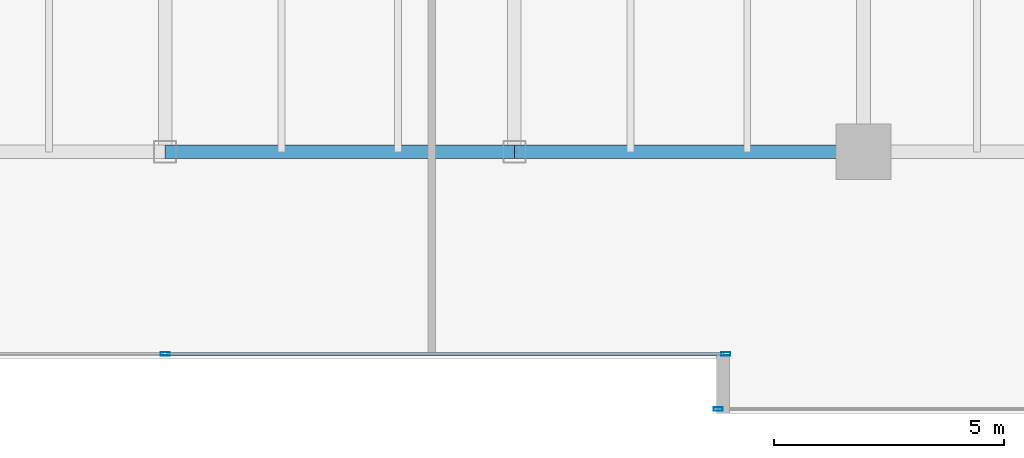
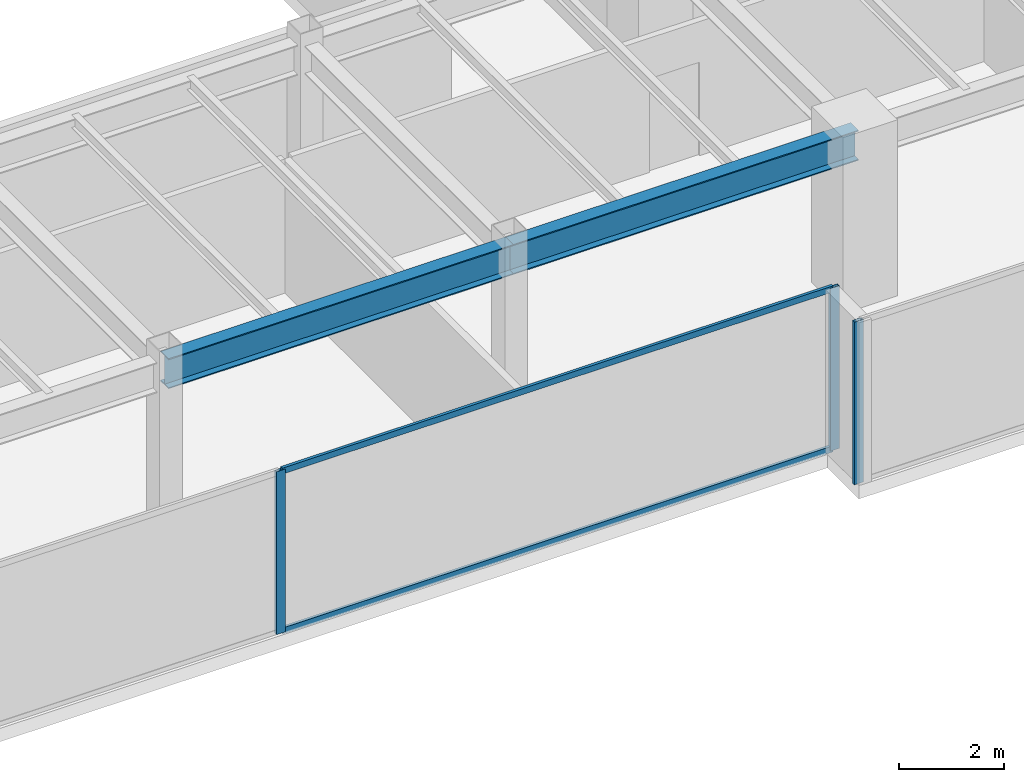
# One storey, part 10 of 30: 5 members, 2 beams, 2 elements without a shape of their own.
"""IFC4 building model written with IfcOpenShell, lengths in metres."""

import ifcopenshell
import ifcopenshell.guid

model = None  # the IFC model being written
_history = None  # IfcOwnerHistory: only IFC2X3 demands one
_inside = {}  # id of a spatial element -> (the spatial element, [elements in it])
_under = {}  # id of a project, library or spatial element -> (it, [spatial elements below it])
_declared = {}  # id of a project -> (the project, [libraries it declares])
_typed = {}  # id of a type object -> (the type object, [elements of that type])
_made_of = {}  # id of a material, layer set ... -> (it, [elements and type objects made of it])


def new_model(schema):
    """Start an empty IFC model of exactly this schema.

    Asked for "IFC4X3", IfcOpenShell would pick the latest addendum, in which some entities
    have other attributes; the version numbers below select the first issue.
    IFC2X3 requires an IfcOwnerHistory on every rooted entity: one is made here for all.
    """
    global model, _history
    if schema == "IFC4X3":
        model = ifcopenshell.file(schema_version=(4, 3, 0, 0))
    else:
        model = ifcopenshell.file(schema=schema)
    _inside.clear()
    _under.clear()
    _declared.clear()
    _typed.clear()
    _made_of.clear()
    _history = None
    if model.schema == "IFC2X3":
        org = make("IfcOrganization", Name="unknown")
        user = make(
            "IfcPersonAndOrganization",
            ThePerson=make("IfcPerson", FamilyName="unknown"),
            TheOrganization=org,
        )
        app = make(
            "IfcApplication",
            ApplicationDeveloper=org,
            Version="unknown",
            ApplicationFullName="unknown",
            ApplicationIdentifier="unknown",
        )
        _history = make(
            "IfcOwnerHistory",
            OwningUser=user,
            OwningApplication=app,
            ChangeAction="ADDED",
            CreationDate=0,
        )
    return model


def make(cls, **values):
    """One entity of the class cls with the attributes given. An attribute that is None is left unset."""
    return model.create_entity(
        cls, **{name: value for name, value in values.items() if value is not None}
    )


def rooted(cls, **values):
    """An entity with a GlobalId (a new one), such as an element, a storey or a relation."""
    return make(cls, GlobalId=ifcopenshell.guid.new(), OwnerHistory=_history, **values)


def si_unit(unit_type, name, prefix=None):
    """IfcSIUnit, for example si_unit("LENGTHUNIT", "METRE", prefix="MILLI")."""
    return make("IfcSIUnit", UnitType=unit_type, Prefix=prefix, Name=name)


def assignment(units):
    """IfcUnitAssignment: the units of a project."""
    return None if units is None else make("IfcUnitAssignment", Units=units)


def point(xyz):
    """IfcCartesianPoint."""
    return None if xyz is None else make("IfcCartesianPoint", Coordinates=xyz)


def direction(xyz):
    """IfcDirection."""
    return None if xyz is None else make("IfcDirection", DirectionRatios=xyz)


def frame(location, z_axis=None, x_axis=None):
    """IfcAxis2Placement3D, a coordinate frame: its origin and axes. An axis left out is left unset."""
    return make(
        "IfcAxis2Placement3D",
        Location=point(location),
        Axis=direction(z_axis),
        RefDirection=direction(x_axis),
    )


def frame_2d(location, x_axis=None):
    """IfcAxis2Placement2D, a coordinate frame in the plane: its origin and x axis."""
    return make(
        "IfcAxis2Placement2D", Location=point(location), RefDirection=direction(x_axis)
    )


def origin():
    """The frame at (0, 0, 0) with its axes left unset."""
    return frame((0.0, 0.0, 0.0))


def origin_2d():
    """The frame at (0, 0) in the plane with its x axis left unset."""
    return frame_2d((0.0, 0.0))


def place(relative_to, where):
    """IfcLocalPlacement: puts the frame where relative to a parent placement (None: the world)."""
    return make(
        "IfcLocalPlacement", PlacementRelTo=relative_to, RelativePlacement=where
    )


def context(
    kind, dimensions, precision=None, world=None, true_north=None, identifier=None
):
    """IfcGeometricRepresentationContext, for example the 3D "Model" context."""
    return make(
        "IfcGeometricRepresentationContext",
        ContextIdentifier=identifier,
        ContextType=kind,
        CoordinateSpaceDimension=dimensions,
        Precision=precision,
        WorldCoordinateSystem=world,
        TrueNorth=true_north,
    )


def subcontext(parent, identifier, kind, view, scale=None):
    """IfcGeometricRepresentationSubContext, for example "Body" below "Model"."""
    return make(
        "IfcGeometricRepresentationSubContext",
        ContextIdentifier=identifier,
        ContextType=kind,
        ParentContext=parent,
        TargetScale=scale,
        TargetView=view,
    )


def project(units=None, contexts=None):
    """IfcProject with its units and contexts."""
    return rooted(
        "IfcProject",
        Name="project",
        RepresentationContexts=contexts,
        UnitsInContext=assignment(units),
    )


def spatial(cls, under=None, at=None, **own):
    """A site, building, storey or space (cls), placed at a placement, below another one or the project."""
    s = rooted(cls, ObjectPlacement=at, **own)
    if under is not None:
        _under.setdefault(under.id(), (under, []))[1].append(s)
    return s


def profile(cls, at=None, kind="AREA", **sizes):
    """A parametric profile (cls). Its sizes go by their IFC names, for example OverallWidth=200.0."""
    return make(cls, ProfileType=kind, Position=at, **sizes)


def hollow_rectangle(**sizes):
    """IfcRectangleHollowProfileDef."""
    return profile("IfcRectangleHollowProfileDef", **sizes)


def i_section(**sizes):
    """IfcIShapeProfileDef."""
    return profile("IfcIShapeProfileDef", **sizes)


def extrude(swept, where, along, depth):
    """IfcExtrudedAreaSolid: the profile swept, set in the frame where, extruded along a direction by depth."""
    return make(
        "IfcExtrudedAreaSolid",
        SweptArea=swept,
        Position=where,
        ExtrudedDirection=direction(along),
        Depth=depth,
    )


def shape(context_of_items, identifier, shape_type, items):
    """IfcShapeRepresentation: the items that make up one representation, for example the "Body"."""
    return make(
        "IfcShapeRepresentation",
        ContextOfItems=context_of_items,
        RepresentationIdentifier=identifier,
        RepresentationType=shape_type,
        Items=items,
    )


def source(mapping_origin, context_of_items, identifier, shape_type, items):
    """IfcRepresentationMap: a shape defined once, which mapped items show again and again."""
    return make(
        "IfcRepresentationMap",
        MappingOrigin=mapping_origin,
        MappedRepresentation=shape(context_of_items, identifier, shape_type, items),
    )


def transform(
    local_origin,
    x_axis=None,
    y_axis=None,
    z_axis=None,
    scale=None,
    scale2=None,
    scale3=None,
    uniform=True,
):
    """IfcCartesianTransformationOperator3D, or its non-uniform kind. x_axis, y_axis, z_axis: its Axis1, 2, 3."""
    if uniform:
        return make(
            "IfcCartesianTransformationOperator3D",
            Axis1=direction(x_axis),
            Axis2=direction(y_axis),
            LocalOrigin=point(local_origin),
            Scale=scale,
            Axis3=direction(z_axis),
        )
    return make(
        "IfcCartesianTransformationOperator3DnonUniform",
        Axis1=direction(x_axis),
        Axis2=direction(y_axis),
        LocalOrigin=point(local_origin),
        Scale=scale,
        Axis3=direction(z_axis),
        Scale2=scale2,
        Scale3=scale3,
    )


def mapped(mapping_source, mapping_target):
    """IfcMappedItem: shows the shape of a source again, moved by a transform."""
    return make(
        "IfcMappedItem", MappingSource=mapping_source, MappingTarget=mapping_target
    )


def material(Name=None, Category=None):
    """IfcMaterial."""
    return make("IfcMaterial", Name=Name, Category=Category)


def layer(
    of_material, thickness, ventilated=None, Name=None, Category=None, Priority=None
):
    """IfcMaterialLayer: one layer of a wall or slab, of a material (None: an air gap)."""
    return make(
        "IfcMaterialLayer",
        Material=of_material,
        LayerThickness=thickness,
        IsVentilated=ventilated,
        Name=Name,
        Category=Category,
        Priority=Priority,
    )


def layer_set(layers, Name=None):
    """IfcMaterialLayerSet."""
    return make("IfcMaterialLayerSet", MaterialLayers=layers, LayerSetName=Name)


def material_profile(
    of_material, cross_section, Name=None, Category=None, Priority=None
):
    """IfcMaterialProfile: a cross section and its material."""
    return make(
        "IfcMaterialProfile",
        Name=Name,
        Material=of_material,
        Profile=cross_section,
        Priority=Priority,
        Category=Category,
    )


def profile_set(profiles, Name=None, composite=None):
    """IfcMaterialProfileSet."""
    return make(
        "IfcMaterialProfileSet",
        Name=Name,
        MaterialProfiles=profiles,
        CompositeProfile=composite,
    )


def made_of(thing, what):
    """Note that an element or type object is made of a material, layer set ...; save() writes the relation."""
    if what is not None:
        _made_of.setdefault(what.id(), (what, []))[1].append(thing)
    return thing


def type_object(cls, material=None, **own):
    """A type object (cls), such as IfcWallType, which elements share."""
    return made_of(rooted(cls, **own), material)


def type_shapes(of_type, sources):
    """Give a type object the sources (RepresentationMaps) that its elements show as mapped items."""
    of_type.RepresentationMaps = sources


def element(
    cls,
    number,
    at=None,
    inside=None,
    cuts=None,
    type_object=None,
    material=None,
    context=None,
    identifier="Body",
    shape_type=None,
    held_by="IfcProductDefinitionShape",
    body=None,
    shapes=None,
    **own,
):
    """One element of the class cls, such as IfcWall. Its Tag is "e" and its number.

    at: its placement. inside: the storey or other place that contains it. cuts: it is an
    opening in that element (IfcRelVoidsElement). A single representation is given by context,
    identifier, shape_type and body (its items); several are given by shapes. held_by: the class
    of the entity that holds the representations. save() writes the other relations.
    """
    e = rooted(cls, Tag="e%d" % number, ObjectPlacement=at, **own)
    if body is not None:
        shapes = [shape(context, identifier, shape_type, body)]
    if shapes is not None:
        e.Representation = make(held_by, Representations=shapes)
    if inside is not None:
        _inside.setdefault(inside.id(), (inside, []))[1].append(e)
    if cuts is not None:
        rooted(
            "IfcRelVoidsElement", RelatingBuildingElement=cuts, RelatedOpeningElement=e
        )
    if type_object is not None:
        _typed.setdefault(type_object.id(), (type_object, []))[1].append(e)
    return made_of(e, material)


def aggregate(whole, parts):
    """IfcRelAggregates: a whole, such as a stair, and the parts it consists of."""
    return rooted("IfcRelAggregates", RelatingObject=whole, RelatedObjects=parts)


def save(model, path):
    """Write the relations noted so far, then the file.

    IfcRelAggregates (storeys below a building ...), IfcRelContainedInSpatialStructure (elements
    in a storey), IfcRelDefinesByType, IfcRelAssociatesMaterial and IfcRelDeclares: one each for
    every whole, place, type object, material and project.
    """
    for whole, parts in _under.values():
        aggregate(whole, parts)
    for where, things in _inside.values():
        rooted(
            "IfcRelContainedInSpatialStructure",
            RelatedElements=things,
            RelatingStructure=where,
        )
    for kind, things in _typed.values():
        rooted("IfcRelDefinesByType", RelatedObjects=things, RelatingType=kind)
    for what, things in _made_of.values():
        rooted("IfcRelAssociatesMaterial", RelatedObjects=things, RelatingMaterial=what)
    for by, libraries in _declared.values():
        rooted("IfcRelDeclares", RelatingContext=by, RelatedDefinitions=libraries)
    model.write(path)


model = new_model("IFC4")

# Units and contexts
model_context = context("Model", 3, precision=1e-05, world=origin(), true_north=direction((0.0, 1.0)))
body_context = subcontext(model_context, "Body", "Model", "MODEL_VIEW")
ifc_project = project(units=[si_unit("LENGTHUNIT", "METRE"), si_unit("AREAUNIT", "SQUARE_METRE"), si_unit("VOLUMEUNIT", "CUBIC_METRE"), si_unit("PLANEANGLEUNIT", "RADIAN"), si_unit("MASSUNIT", "GRAM", prefix="KILO")], contexts=[model_context])

# Site, building, storey
site_placement = place(None, origin())
site = spatial("IfcSite", under=ifc_project, at=site_placement, CompositionType="ELEMENT")
building_placement = place(site_placement, origin())
building = spatial("IfcBuilding", under=site, at=building_placement, Name="Haelvirn Gate Laboratories", CompositionType="ELEMENT")
storey_placement = place(building_placement, frame((0.0, 0.0, 105.10009765625)))
storey = spatial("IfcBuildingStorey", under=building, at=storey_placement, Name="L25", CompositionType="ELEMENT", Elevation=105.10009765625)

# Beams
ifc_material_1 = material(Name="Steel SM355", Category="steel")
ifc_material_profile_1 = material_profile(ifc_material_1, i_section(OverallWidth=0.300048828125, OverallDepth=0.699951171875, WebThickness=0.012939453125, FlangeThickness=0.02392578125, at=origin_2d()), Name="H-700x300x13x24")
ifc_profile_set_1 = profile_set([ifc_material_profile_1], Name="Steel SM355")
beam_type = type_object("IfcBeamType", Name="BM-G-700", PredefinedType="BEAM", material=ifc_profile_set_1)
shared_shape_1 = source(origin(), body_context, "Body", "SweptSolid", [
    extrude(i_section(OverallWidth=0.300048828125, OverallDepth=0.699951171875, WebThickness=0.012939453125, FlangeThickness=0.02392578125, at=origin_2d()), origin(), (0.0, 0.0, 1.0), 7.60009765625),
])
type_shapes(beam_type, [shared_shape_1])
for number, where, z_axis, x_axis, name in (
    (1, (37.39990234375, 7.0, 3.43994140625), (1.0, 0.0, 0.0), (0.0, 1.0, 0.0), "L25 Primary Girder Y7.0 (37.4-45.0)"),
    (2, (45.0, 7.0, 3.43994140625), (1.0, 0.0, 0.0), (0.0, 1.0, 0.0), "L25 Primary Girder Y7.0 (45.0-52.6)"),
):
    element("IfcBeam", number, at=place(storey_placement, frame(where, z_axis=z_axis, x_axis=x_axis)), inside=storey, type_object=beam_type, Name=name, PredefinedType="BEAM", context=body_context, shape_type="MappedRepresentation", body=[
        mapped(shared_shape_1, transform((0.0, 0.0, 0.0), scale=1.0)),
    ])

# Curtain wall, members
ifc_material_2 = material(Name="Anodised bronze unitised aluminium & triple low-E glass", Category="aluminium")
ifc_layer = layer(ifc_material_2, 0.179931640625, Name="CW-SYS-3")
ifc_layer_set = layer_set([ifc_layer], Name="Anodised bronze unitised aluminium & triple low-E glass")
curtain_wall_type = type_object("IfcCurtainWallType", Name="CW-SYS-3", PredefinedType="NOTDEFINED", material=ifc_layer_set)
curtain_wall_1_placement = place(storey_placement, origin())
curtain_wall_1 = element("IfcCurtainWall", 3, at=curtain_wall_1_placement, inside=storey, type_object=curtain_wall_type, Name="L25 Unitised Curtain Wall CW-L25-P0-E02-1", PredefinedType="NOTDEFINED")
ifc_material_3 = material(Name="Extruded aluminium 6063-T6 (anodised bronze)", Category="aluminium")
ifc_material_profile_2 = material_profile(ifc_material_3, hollow_rectangle(XDim=0.06494140625, YDim=0.139892578125, WallThickness=0.00390625, at=origin_2d()), Name="CWT-140x65x4")
ifc_profile_set_2 = profile_set([ifc_material_profile_2], Name="Extruded aluminium 6063-T6 (anodised bronze)")
member_type_1 = type_object("IfcMemberType", Name="CWT-T140", PredefinedType="USERDEFINED", material=ifc_profile_set_2)
shared_shape_2 = source(origin(), body_context, "Body", "SweptSolid", [
    extrude(hollow_rectangle(XDim=0.06494140625, YDim=0.139892578125, WallThickness=0.00390625, at=origin_2d()), origin(), (0.0, 0.0, 1.0), 12.12744140625),
])
type_shapes(member_type_1, [shared_shape_2])
member_1_placement = place(storey_placement, frame((37.4375, 2.60009765625, 0.032470703125), z_axis=(1.0, 0.0, 0.0), x_axis=(0.0, 1.0, 0.0)))
member_1 = element("IfcMember", 4, at=member_1_placement, type_object=member_type_1, Name="CW3 transom 2.1", ObjectType="TRANSOM", PredefinedType="USERDEFINED", context=body_context, shape_type="MappedRepresentation", body=[
    mapped(shared_shape_2, transform((0.0, 0.0, 0.0), scale=1.0)),
])
member_2_placement = place(storey_placement, frame((37.4375, 2.60009765625, 3.75732421875), z_axis=(1.0, 0.0, 0.0), x_axis=(0.0, 1.0, 0.0)))
member_2 = element("IfcMember", 5, at=member_2_placement, type_object=member_type_1, Name="CW3 transom 2.2", ObjectType="TRANSOM", PredefinedType="USERDEFINED", context=body_context, shape_type="MappedRepresentation", body=[
    mapped(shared_shape_2, transform((0.0, 0.0, 0.0), scale=1.0)),
])
ifc_material_profile_3 = material_profile(ifc_material_3, hollow_rectangle(XDim=0.074951171875, YDim=0.199951171875, WallThickness=0.0048828125, at=origin_2d()), Name="CWM-200x75x5")
ifc_profile_set_3 = profile_set([ifc_material_profile_3], Name="Extruded aluminium 6063-T6 (anodised bronze)")
member_type_2 = type_object("IfcMemberType", Name="CWM-T200", PredefinedType="MULLION", material=ifc_profile_set_3)
shared_shape_3 = source(origin(), body_context, "Body", "SweptSolid", [
    extrude(hollow_rectangle(XDim=0.074951171875, YDim=0.199951171875, WallThickness=0.0048828125, at=origin_2d()), origin(), (0.0, 0.0, 1.0), 3.789794921875),
])
type_shapes(member_type_2, [shared_shape_3])
member_3_placement = place(storey_placement, frame((37.39990234375, 2.60009765625, 0.0), z_axis=(0.0, 0.0, 1.0), x_axis=(0.0, 1.0, 0.0)))
member_3 = element("IfcMember", 6, at=member_3_placement, type_object=member_type_2, Name="CW3 mullion 2", PredefinedType="MULLION", context=body_context, shape_type="MappedRepresentation", body=[
    mapped(shared_shape_3, transform((0.0, 0.0, 0.0), scale=1.0)),
])
member_4_placement = place(storey_placement, frame((49.6025390625, 2.60009765625, 0.0), z_axis=(0.0, 0.0, 1.0), x_axis=(0.0, 1.0, 0.0)))
member_4 = element("IfcMember", 7, at=member_4_placement, type_object=member_type_2, Name="CW3 mullion 3", PredefinedType="MULLION", context=body_context, shape_type="MappedRepresentation", body=[
    mapped(shared_shape_3, transform((0.0, 0.0, 0.0), scale=1.0)),
])
aggregate(curtain_wall_1, [member_3, member_4, member_1, member_2])

# Curtain wall, member
curtain_wall_2_placement = place(storey_placement, origin())
curtain_wall_2 = element("IfcCurtainWall", 8, at=curtain_wall_2_placement, inside=storey, type_object=curtain_wall_type, Name="L25 Unitised Curtain Wall CW-L25-P0-E04-1", PredefinedType="NOTDEFINED")
member_5_placement = place(storey_placement, frame((49.4375, 1.39990234375, 0.0), z_axis=(0.0, 0.0, 1.0), x_axis=(0.0, 1.0, 0.0)))
member_5 = element("IfcMember", 9, at=member_5_placement, type_object=member_type_2, Name="CW3 mullion 1", PredefinedType="MULLION", context=body_context, shape_type="MappedRepresentation", body=[
    mapped(shared_shape_3, transform((0.0, 0.0, 0.0), scale=1.0)),
])
aggregate(curtain_wall_2, [member_5])

save(model, "model.ifc")
